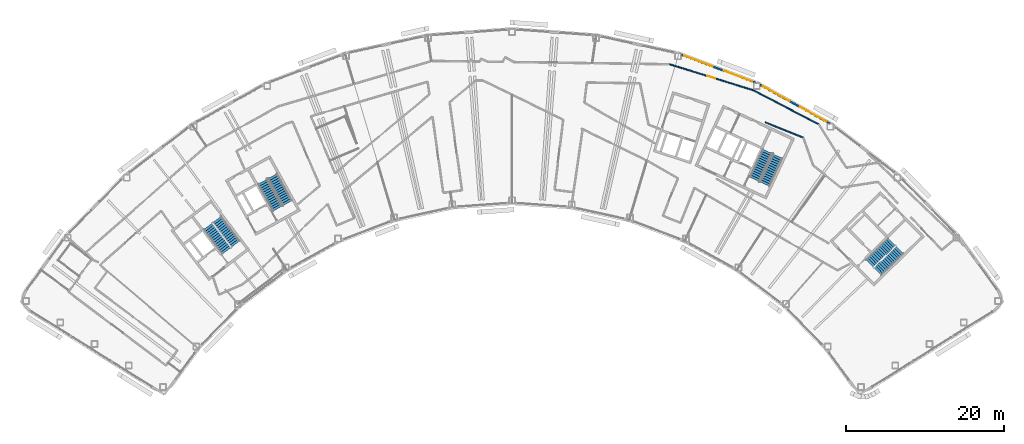
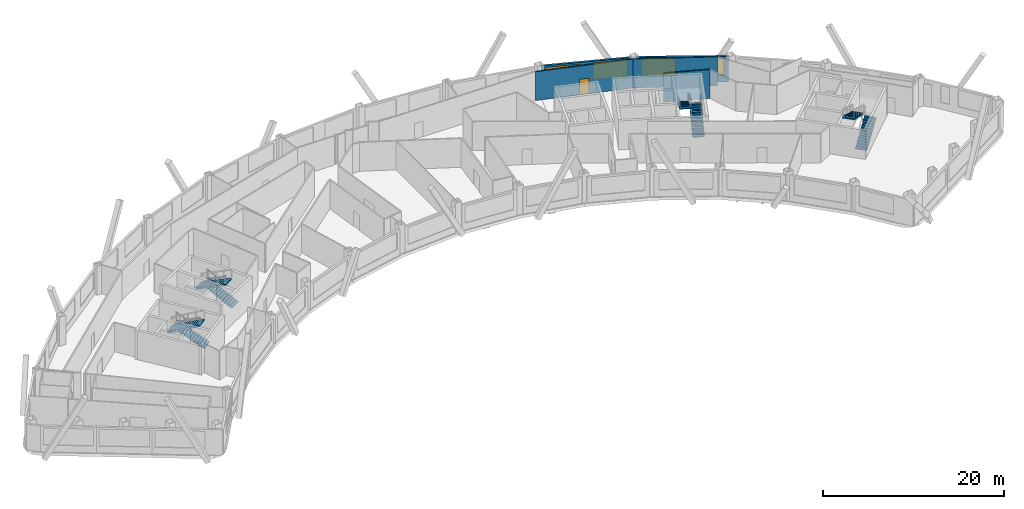
# One storey, part 11 of 13: 8 stair flights, 5 walls, 4 windows, 1 door, 5 openings, 4 elements without a shape of their own.
"""IFC4 building model written with IfcOpenShell, lengths in metres."""

from ifc_helpers import new_model, si_unit, direction, frame, frame_2d, origin, place, context, subcontext, project, spatial, polyline, rectangle, outline, extrude, material, layer, layer_set, type_object, element, fill, aggregate, save


model = new_model("IFC4")

# Units and contexts
model_context = context("Model", 3, precision=1e-05, world=origin(), true_north=direction((0.0, 1.0)))
body_context = subcontext(model_context, "Body", "Model", "MODEL_VIEW")
ifc_project = project(units=[si_unit("LENGTHUNIT", "METRE"), si_unit("AREAUNIT", "SQUARE_METRE"), si_unit("VOLUMEUNIT", "CUBIC_METRE"), si_unit("PLANEANGLEUNIT", "RADIAN"), si_unit("MASSUNIT", "GRAM", prefix="KILO")], contexts=[model_context])

# Site, building, storey
site_placement = place(None, origin())
site = spatial("IfcSite", under=ifc_project, at=site_placement, CompositionType="ELEMENT")
building_placement = place(site_placement, origin())
building = spatial("IfcBuilding", under=site, at=building_placement, Name="Tuul Gate Civic Tower", CompositionType="ELEMENT")
storey_placement = place(building_placement, frame((0.0, 0.0, 319.699951171875)))
storey = spatial("IfcBuildingStorey", under=building, at=storey_placement, Name="Level 72", CompositionType="ELEMENT", Elevation=319.699951171875)

# Wall
ifc_material_1 = material(Name="Gypsum board partition")
ifc_layer_1 = layer(ifc_material_1, 0.14990234375)
ifc_layer_set_1 = layer_set([ifc_layer_1], Name="Gypsum board partition")
wall_type_1 = type_object("IfcWallType", Name="Corridor wall P150", PredefinedType="PARTITIONING", material=ifc_layer_set_1)
wall_1_placement = place(storey_placement, frame((32.776611328125, 6.44580078125, 0.0), z_axis=(0.0, 0.0, 1.0), x_axis=(0.887777396517, -0.460273064857, 0.0)))
element("IfcWall", 1, at=wall_1_placement, inside=storey, type_object=wall_type_1, Name="p012", PredefinedType="PARTITIONING", context=body_context, shape_type="SweptSolid", body=[
    extrude(rectangle(XDim=9.37255859375, YDim=0.14990234375, at=frame_2d((4.686279296875, 0.0))), origin(), (0.0, 0.0, 1.0), 3.900146484375),
])

# Wall, opening, door
wall_2_placement = place(storey_placement, frame((22.1923828125, 9.731689453125, 0.0), z_axis=(0.0, 0.0, 1.0), x_axis=(0.955038110656, -0.296483063927, 0.0)))
wall_2 = element("IfcWall", 2, at=wall_2_placement, inside=storey, type_object=wall_type_1, Name="p013", PredefinedType="PARTITIONING", context=body_context, shape_type="SweptSolid", body=[
    extrude(rectangle(XDim=11.081298828125, YDim=0.14990234375, at=frame_2d((5.54052734375, 0.0))), origin(), (0.0, 0.0, 1.0), 3.900146484375),
])
opening_1_placement = place(wall_2_placement, frame((4.990478515625, 0.0, 0.0)))
opening_1 = element("IfcOpeningElement", 3, at=opening_1_placement, cuts=wall_2, Name="Opening AA-D01", PredefinedType="OPENING", context=body_context, shape_type="SweptSolid", body=[
    extrude(rectangle(XDim=1.10009765625, YDim=2.10009765625, at=frame_2d((0.550048828125, 1.050048828125))), frame((0.0, 0.0849609375, 0.0), z_axis=(0.0, -1.0, 0.0), x_axis=(1.0, 0.0, 0.0)), (0.0, 0.0, 1.0), 0.169921875),
])
ifc_material_2 = material(Name="Timber door leaf", Category="wood")
door_type = type_object("IfcDoorType", Name="Door D11", OperationType="NOTDEFINED", PredefinedType="DOOR", material=ifc_material_2)
door_placement = place(opening_1_placement, origin())
door = element("IfcDoor", 4, at=door_placement, inside=storey, type_object=door_type, Name="Door AA-D01", OperationType="SINGLE_SWING_RIGHT", OverallHeight=2.10009765625, OverallWidth=1.10009765625, PredefinedType="DOOR", context=body_context, shape_type="SweptSolid", body=[
    extrude(rectangle(XDim=1.10009765625, YDim=2.10009765625, at=frame_2d((0.550048828125, 1.050048828125))), frame((0.0, 0.02490234375, 0.0), z_axis=(0.0, -1.0, 0.0), x_axis=(1.0, 0.0, 0.0)), (0.0, 0.0, 1.0), 0.050048828125),
])
fill(opening_1, door)

# Wall
wall_3_placement = place(storey_placement, frame((34.3291015625, 2.36376953125, 0.0), z_axis=(0.0, 0.0, 1.0), x_axis=(0.928625983834, -0.371017226214, 0.0)))
element("IfcWall", 5, at=wall_3_placement, inside=storey, type_object=wall_type_1, Name="p101", PredefinedType="PARTITIONING", context=body_context, shape_type="SweptSolid", body=[
    extrude(rectangle(XDim=5.185302734375, YDim=0.14990234375, at=frame_2d((2.5927734375, 0.0))), origin(), (0.0, 0.0, 1.0), 3.900146484375),
])

# Wall, openings, windows
ifc_material_3 = material(Name="Precast concrete C40/50", Category="concrete")
ifc_layer_2 = layer(ifc_material_3, 0.25)
ifc_layer_set_2 = layer_set([ifc_layer_2], Name="Precast concrete C40/50")
wall_type_2 = type_object("IfcWallType", Name="External wall", PredefinedType="STANDARD", material=ifc_layer_set_2)
wall_4_placement = place(storey_placement, frame((42.54345703125, 2.205078125, 0.0), z_axis=(0.0, 0.0, 1.0), x_axis=(-0.87463511472, 0.484781823193, 0.0)))
wall_4 = element("IfcWall", 6, at=wall_4_placement, inside=storey, type_object=wall_type_2, Name="External wall", PredefinedType="STANDARD", context=body_context, shape_type="SweptSolid", body=[
    extrude(rectangle(XDim=10.161376953125, YDim=0.25, at=frame_2d((5.08056640625, 0.0))), origin(), (0.0, 0.0, 1.0), 3.449951171875),
])
opening_2_placement = place(wall_4_placement, frame((0.48974609375, 0.0, 0.89990234375)))
opening_2 = element("IfcOpeningElement", 7, at=opening_2_placement, cuts=wall_4, Name="Opening W22", PredefinedType="OPENING", context=body_context, shape_type="SweptSolid", body=[
    extrude(rectangle(XDim=3.85009765625, YDim=2.300048828125, at=frame_2d((1.925048828125, 1.14990234375))), frame((0.0, 0.135009765625, 0.0), z_axis=(0.0, -1.0, 0.0), x_axis=(1.0, 0.0, 0.0)), (0.0, 0.0, 1.0), 0.27001953125),
])
opening_3_placement = place(wall_4_placement, frame((5.861328125, 0.0, 0.89990234375)))
opening_3 = element("IfcOpeningElement", 8, at=opening_3_placement, cuts=wall_4, Name="Opening W22", PredefinedType="OPENING", context=body_context, shape_type="SweptSolid", body=[
    extrude(rectangle(XDim=3.85009765625, YDim=2.300048828125, at=frame_2d((1.925048828125, 1.14990234375))), frame((0.0, 0.135009765625, 0.0), z_axis=(0.0, -1.0, 0.0), x_axis=(1.0, 0.0, 0.0)), (0.0, 0.0, 1.0), 0.27001953125),
])
ifc_material_4 = material(Name="Glass", Category="glass")
window_type = type_object("IfcWindowType", Name="Window W22 3850 x 2300", PartitioningType="SINGLE_PANEL", PredefinedType="WINDOW", material=ifc_material_4)
window_1_placement = place(opening_2_placement, origin())
window_1 = element("IfcWindow", 9, at=window_1_placement, inside=storey, type_object=window_type, Name="Window", OverallHeight=2.300048828125, OverallWidth=3.85009765625, PartitioningType="SINGLE_PANEL", PredefinedType="WINDOW", context=body_context, shape_type="SweptSolid", body=[
    extrude(rectangle(XDim=3.85009765625, YDim=2.300048828125, at=frame_2d((1.925048828125, 1.14990234375))), frame((0.0, 0.030029296875, 0.0), z_axis=(0.0, -1.0, 0.0), x_axis=(1.0, 0.0, 0.0)), (0.0, 0.0, 1.0), 0.06005859375),
])
fill(opening_2, window_1)
window_2_placement = place(opening_3_placement, origin())
window_2 = element("IfcWindow", 10, at=window_2_placement, inside=storey, type_object=window_type, Name="Window", OverallHeight=2.300048828125, OverallWidth=3.85009765625, PartitioningType="SINGLE_PANEL", PredefinedType="WINDOW", context=body_context, shape_type="SweptSolid", body=[
    extrude(rectangle(XDim=3.85009765625, YDim=2.300048828125, at=frame_2d((1.925048828125, 1.14990234375))), frame((0.0, 0.030029296875, 0.0), z_axis=(0.0, -1.0, 0.0), x_axis=(1.0, 0.0, 0.0)), (0.0, 0.0, 1.0), 0.06005859375),
])
fill(opening_3, window_2)

wall_5_placement = place(storey_placement, frame((33.115478515625, 7.382080078125, 0.0), z_axis=(0.0, 0.0, 1.0), x_axis=(-0.93534700963, 0.353731496444, 0.0)))
wall_5 = element("IfcWall", 11, at=wall_5_placement, inside=storey, type_object=wall_type_2, Name="External wall", PredefinedType="STANDARD", context=body_context, shape_type="SweptSolid", body=[
    extrude(rectangle(XDim=10.099609375, YDim=0.25, at=frame_2d((5.0498046875, 0.0))), origin(), (0.0, 0.0, 1.0), 3.449951171875),
])
opening_4_placement = place(wall_5_placement, frame((0.45556640625, 0.0, 0.89990234375)))
opening_4 = element("IfcOpeningElement", 12, at=opening_4_placement, cuts=wall_5, Name="Opening W22", PredefinedType="OPENING", context=body_context, shape_type="SweptSolid", body=[
    extrude(rectangle(XDim=3.85009765625, YDim=2.300048828125, at=frame_2d((1.925048828125, 1.14990234375))), frame((0.0, 0.135009765625, 0.0), z_axis=(0.0, -1.0, 0.0), x_axis=(1.0, 0.0, 0.0)), (0.0, 0.0, 1.0), 0.27001953125),
])
opening_5_placement = place(wall_5_placement, frame((5.826904296875, 0.0, 0.89990234375)))
opening_5 = element("IfcOpeningElement", 13, at=opening_5_placement, cuts=wall_5, Name="Opening W22", PredefinedType="OPENING", context=body_context, shape_type="SweptSolid", body=[
    extrude(rectangle(XDim=3.85009765625, YDim=2.300048828125, at=frame_2d((1.925048828125, 1.14990234375))), frame((0.0, 0.135009765625, 0.0), z_axis=(0.0, -1.0, 0.0), x_axis=(1.0, 0.0, 0.0)), (0.0, 0.0, 1.0), 0.27001953125),
])
window_3_placement = place(opening_4_placement, origin())
window_3 = element("IfcWindow", 14, at=window_3_placement, inside=storey, type_object=window_type, Name="Window", OverallHeight=2.300048828125, OverallWidth=3.85009765625, PartitioningType="SINGLE_PANEL", PredefinedType="WINDOW", context=body_context, shape_type="SweptSolid", body=[
    extrude(rectangle(XDim=3.85009765625, YDim=2.300048828125, at=frame_2d((1.925048828125, 1.14990234375))), frame((0.0, 0.030029296875, 0.0), z_axis=(0.0, -1.0, 0.0), x_axis=(1.0, 0.0, 0.0)), (0.0, 0.0, 1.0), 0.06005859375),
])
fill(opening_4, window_3)
window_4_placement = place(opening_5_placement, origin())
window_4 = element("IfcWindow", 15, at=window_4_placement, inside=storey, type_object=window_type, Name="Window", OverallHeight=2.300048828125, OverallWidth=3.85009765625, PartitioningType="SINGLE_PANEL", PredefinedType="WINDOW", context=body_context, shape_type="SweptSolid", body=[
    extrude(rectangle(XDim=3.85009765625, YDim=2.300048828125, at=frame_2d((1.925048828125, 1.14990234375))), frame((0.0, 0.030029296875, 0.0), z_axis=(0.0, -1.0, 0.0), x_axis=(1.0, 0.0, 0.0)), (0.0, 0.0, 1.0), 0.06005859375),
])
fill(opening_5, window_4)

# Stair, stair flights
ifc_material_5 = material(Name="Concrete C40/50", Category="concrete")
stair_type = type_object("IfcStairType", Name="Exit stair", PredefinedType="HALF_TURN_STAIR", material=ifc_material_5)
stair_1_placement = place(storey_placement, origin())
stair_1 = element("IfcStair", 16, at=stair_1_placement, inside=storey, type_object=stair_type, Name="Level 72 ST-1", PredefinedType="HALF_TURN_STAIR")
ifc_material_6 = material(Name="Concrete C40/50", Category="concrete")
stair_flight_type = type_object("IfcStairFlightType", Name="Exit stair flight", PredefinedType="STRAIGHT", material=ifc_material_6)
stair_flight_1_placement = place(storey_placement, frame((-32.875244140625, -13.066650390625, 0.0), z_axis=(0.0, 0.0, 1.0), x_axis=(-0.605764474941, 0.795644016442, 0.0)))
stair_flight_1 = element("IfcStairFlight", 17, at=stair_flight_1_placement, type_object=stair_flight_type, Name="ST-1 flight 1", NumberOfRisers=14, NumberOfTreads=13, PredefinedType="STRAIGHT", RiserHeight=0.15, TreadLength=0.3, context=body_context, shape_type="SweptSolid", body=[
    extrude(outline(polyline([(0.0, 0.0), (0.0, 0.14990234375), (0.300048828125, 0.14990234375), (0.300048828125, 0.300048828125), (0.60009765625, 0.300048828125), (0.60009765625, 0.449951171875), (0.89990234375, 0.449951171875), (0.89990234375, 0.60009765625), (1.199951171875, 0.60009765625), (1.199951171875, 0.75), (1.5, 0.75), (1.5, 0.89990234375), (1.800048828125, 0.89990234375), (1.800048828125, 1.050048828125), (2.10009765625, 1.050048828125), (2.10009765625, 1.199951171875), (2.39990234375, 1.199951171875), (2.39990234375, 1.35009765625), (2.699951171875, 1.35009765625), (2.699951171875, 1.5), (3.0, 1.5), (3.0, 1.64990234375), (3.300048828125, 1.64990234375), (3.300048828125, 1.800048828125), (3.60009765625, 1.800048828125), (3.60009765625, 1.949951171875), (3.89990234375, 1.949951171875), (3.89990234375, 2.10009765625), (3.89990234375, 1.782470703125), (0.335205078125, 0.0), (0.0, 0.0)])), frame((0.0, 0.675048828125, 0.0), z_axis=(0.0, -1.0, 0.0), x_axis=(1.0, 0.0, 0.0)), (0.0, 0.0, 1.0), 1.35009765625),
])
stair_flight_2_placement = place(storey_placement, frame((-36.391357421875, -10.842041015625, 2.10009765625), z_axis=(0.0, 0.0, 1.0), x_axis=(0.605764474941, -0.795644016442, 0.0)))
stair_flight_2 = element("IfcStairFlight", 18, at=stair_flight_2_placement, type_object=stair_flight_type, Name="ST-1 flight 2", NumberOfRisers=14, NumberOfTreads=13, PredefinedType="STRAIGHT", RiserHeight=0.15, TreadLength=0.3, context=body_context, shape_type="SweptSolid", body=[
    extrude(outline(polyline([(0.0, 0.0), (0.0, 0.14990234375), (0.300048828125, 0.14990234375), (0.300048828125, 0.300048828125), (0.60009765625, 0.300048828125), (0.60009765625, 0.449951171875), (0.89990234375, 0.449951171875), (0.89990234375, 0.60009765625), (1.199951171875, 0.60009765625), (1.199951171875, 0.75), (1.5, 0.75), (1.5, 0.89990234375), (1.800048828125, 0.89990234375), (1.800048828125, 1.050048828125), (2.10009765625, 1.050048828125), (2.10009765625, 1.199951171875), (2.39990234375, 1.199951171875), (2.39990234375, 1.35009765625), (2.699951171875, 1.35009765625), (2.699951171875, 1.5), (3.0, 1.5), (3.0, 1.64990234375), (3.300048828125, 1.64990234375), (3.300048828125, 1.800048828125), (3.60009765625, 1.800048828125), (3.60009765625, 1.949951171875), (3.89990234375, 1.949951171875), (3.89990234375, 2.10009765625), (3.89990234375, 1.782470703125), (0.335205078125, 0.0), (0.0, 0.0)])), frame((0.0, 0.675048828125, 0.0), z_axis=(0.0, -1.0, 0.0), x_axis=(1.0, 0.0, 0.0)), (0.0, 0.0, 1.0), 1.35009765625),
])
aggregate(stair_1, [stair_flight_1, stair_flight_2])

stair_2_placement = place(storey_placement, origin())
stair_2 = element("IfcStair", 19, at=stair_2_placement, inside=storey, type_object=stair_type, Name="Level 72 ST-2", PredefinedType="HALF_TURN_STAIR")
stair_flight_3_placement = place(storey_placement, frame((-26.29150390625, -7.87646484375, 0.0), z_axis=(0.0, 0.0, 1.0), x_axis=(-0.484761763766, 0.874646232708, 0.0)))
stair_flight_3 = element("IfcStairFlight", 20, at=stair_flight_3_placement, type_object=stair_flight_type, Name="ST-2 flight 1", NumberOfRisers=14, NumberOfTreads=13, PredefinedType="STRAIGHT", RiserHeight=0.15, TreadLength=0.3, context=body_context, shape_type="SweptSolid", body=[
    extrude(outline(polyline([(0.0, 0.0), (0.0, 0.14990234375), (0.300048828125, 0.14990234375), (0.300048828125, 0.300048828125), (0.60009765625, 0.300048828125), (0.60009765625, 0.449951171875), (0.89990234375, 0.449951171875), (0.89990234375, 0.60009765625), (1.199951171875, 0.60009765625), (1.199951171875, 0.75), (1.5, 0.75), (1.5, 0.89990234375), (1.800048828125, 0.89990234375), (1.800048828125, 1.050048828125), (2.10009765625, 1.050048828125), (2.10009765625, 1.199951171875), (2.39990234375, 1.199951171875), (2.39990234375, 1.35009765625), (2.699951171875, 1.35009765625), (2.699951171875, 1.5), (3.0, 1.5), (3.0, 1.64990234375), (3.300048828125, 1.64990234375), (3.300048828125, 1.800048828125), (3.60009765625, 1.800048828125), (3.60009765625, 1.949951171875), (3.89990234375, 1.949951171875), (3.89990234375, 2.10009765625), (3.89990234375, 1.782470703125), (0.335205078125, 0.0), (0.0, 0.0)])), frame((0.0, 0.675048828125, 0.0), z_axis=(0.0, -1.0, 0.0), x_axis=(1.0, 0.0, 0.0)), (0.0, 0.0, 1.0), 1.35009765625),
])
stair_flight_4_placement = place(storey_placement, frame((-29.450439453125, -5.168212890625, 2.10009765625), z_axis=(0.0, 0.0, 1.0), x_axis=(0.484761763766, -0.874646232708, 0.0)))
stair_flight_4 = element("IfcStairFlight", 21, at=stair_flight_4_placement, type_object=stair_flight_type, Name="ST-2 flight 2", NumberOfRisers=14, NumberOfTreads=13, PredefinedType="STRAIGHT", RiserHeight=0.15, TreadLength=0.3, context=body_context, shape_type="SweptSolid", body=[
    extrude(outline(polyline([(0.0, 0.0), (0.0, 0.14990234375), (0.300048828125, 0.14990234375), (0.300048828125, 0.300048828125), (0.60009765625, 0.300048828125), (0.60009765625, 0.449951171875), (0.89990234375, 0.449951171875), (0.89990234375, 0.60009765625), (1.199951171875, 0.60009765625), (1.199951171875, 0.75), (1.5, 0.75), (1.5, 0.89990234375), (1.800048828125, 0.89990234375), (1.800048828125, 1.050048828125), (2.10009765625, 1.050048828125), (2.10009765625, 1.199951171875), (2.39990234375, 1.199951171875), (2.39990234375, 1.35009765625), (2.699951171875, 1.35009765625), (2.699951171875, 1.5), (3.0, 1.5), (3.0, 1.64990234375), (3.300048828125, 1.64990234375), (3.300048828125, 1.800048828125), (3.60009765625, 1.800048828125), (3.60009765625, 1.949951171875), (3.89990234375, 1.949951171875), (3.89990234375, 2.10009765625), (3.89990234375, 1.782470703125), (0.335205078125, 0.0), (0.0, 0.0)])), frame((0.0, 0.675048828125, 0.0), z_axis=(0.0, -1.0, 0.0), x_axis=(1.0, 0.0, 0.0)), (0.0, 0.0, 1.0), 1.35009765625),
])
aggregate(stair_2, [stair_flight_3, stair_flight_4])

stair_3_placement = place(storey_placement, origin())
stair_3 = element("IfcStair", 22, at=stair_3_placement, inside=storey, type_object=stair_type, Name="Level 72 ST-3", PredefinedType="HALF_TURN_STAIR")
stair_flight_5_placement = place(storey_placement, frame((48.61376953125, -16.581787109375, 0.0), z_axis=(0.0, 0.0, 1.0), x_axis=(0.714127290059, 0.700015866672, 0.0)))
stair_flight_5 = element("IfcStairFlight", 23, at=stair_flight_5_placement, type_object=stair_flight_type, Name="ST-3 flight 1", NumberOfRisers=14, NumberOfTreads=13, PredefinedType="STRAIGHT", RiserHeight=0.15, TreadLength=0.3, context=body_context, shape_type="SweptSolid", body=[
    extrude(outline(polyline([(0.0, 0.0), (0.0, 0.14990234375), (0.300048828125, 0.14990234375), (0.300048828125, 0.300048828125), (0.60009765625, 0.300048828125), (0.60009765625, 0.449951171875), (0.89990234375, 0.449951171875), (0.89990234375, 0.60009765625), (1.199951171875, 0.60009765625), (1.199951171875, 0.75), (1.5, 0.75), (1.5, 0.89990234375), (1.800048828125, 0.89990234375), (1.800048828125, 1.050048828125), (2.10009765625, 1.050048828125), (2.10009765625, 1.199951171875), (2.39990234375, 1.199951171875), (2.39990234375, 1.35009765625), (2.699951171875, 1.35009765625), (2.699951171875, 1.5), (3.0, 1.5), (3.0, 1.64990234375), (3.300048828125, 1.64990234375), (3.300048828125, 1.800048828125), (3.60009765625, 1.800048828125), (3.60009765625, 1.949951171875), (3.89990234375, 1.949951171875), (3.89990234375, 2.10009765625), (3.89990234375, 1.782470703125), (0.335205078125, 0.0), (0.0, 0.0)])), frame((0.0, 0.675048828125, 0.0), z_axis=(0.0, -1.0, 0.0), x_axis=(1.0, 0.0, 0.0)), (0.0, 0.0, 1.0), 1.35009765625),
])
stair_flight_6_placement = place(storey_placement, frame((50.3837890625, -12.816162109375, 2.10009765625), z_axis=(0.0, 0.0, 1.0), x_axis=(-0.714127290059, -0.700015866672, 0.0)))
stair_flight_6 = element("IfcStairFlight", 24, at=stair_flight_6_placement, type_object=stair_flight_type, Name="ST-3 flight 2", NumberOfRisers=14, NumberOfTreads=13, PredefinedType="STRAIGHT", RiserHeight=0.15, TreadLength=0.3, context=body_context, shape_type="SweptSolid", body=[
    extrude(outline(polyline([(0.0, 0.0), (0.0, 0.14990234375), (0.300048828125, 0.14990234375), (0.300048828125, 0.300048828125), (0.60009765625, 0.300048828125), (0.60009765625, 0.449951171875), (0.89990234375, 0.449951171875), (0.89990234375, 0.60009765625), (1.199951171875, 0.60009765625), (1.199951171875, 0.75), (1.5, 0.75), (1.5, 0.89990234375), (1.800048828125, 0.89990234375), (1.800048828125, 1.050048828125), (2.10009765625, 1.050048828125), (2.10009765625, 1.199951171875), (2.39990234375, 1.199951171875), (2.39990234375, 1.35009765625), (2.699951171875, 1.35009765625), (2.699951171875, 1.5), (3.0, 1.5), (3.0, 1.64990234375), (3.300048828125, 1.64990234375), (3.300048828125, 1.800048828125), (3.60009765625, 1.800048828125), (3.60009765625, 1.949951171875), (3.89990234375, 1.949951171875), (3.89990234375, 2.10009765625), (3.89990234375, 1.782470703125), (0.335205078125, 0.0), (0.0, 0.0)])), frame((0.0, 0.675048828125, 0.0), z_axis=(0.0, -1.0, 0.0), x_axis=(1.0, 0.0, 0.0)), (0.0, 0.0, 1.0), 1.35009765625),
])
aggregate(stair_3, [stair_flight_5, stair_flight_6])

stair_4_placement = place(storey_placement, origin())
stair_4 = element("IfcStair", 25, at=stair_4_placement, inside=storey, type_object=stair_type, Name="Level 72 ST-4", PredefinedType="HALF_TURN_STAIR")
stair_flight_7_placement = place(storey_placement, frame((34.278564453125, -5.478515625, 0.0), z_axis=(0.0, 0.0, 1.0), x_axis=(0.422576295988, 0.906327354806, 0.0)))
stair_flight_7 = element("IfcStairFlight", 26, at=stair_flight_7_placement, type_object=stair_flight_type, Name="ST-4 flight 1", NumberOfRisers=14, NumberOfTreads=13, PredefinedType="STRAIGHT", RiserHeight=0.15, TreadLength=0.3, context=body_context, shape_type="SweptSolid", body=[
    extrude(outline(polyline([(0.0, 0.0), (0.0, 0.14990234375), (0.300048828125, 0.14990234375), (0.300048828125, 0.300048828125), (0.60009765625, 0.300048828125), (0.60009765625, 0.449951171875), (0.89990234375, 0.449951171875), (0.89990234375, 0.60009765625), (1.199951171875, 0.60009765625), (1.199951171875, 0.75), (1.5, 0.75), (1.5, 0.89990234375), (1.800048828125, 0.89990234375), (1.800048828125, 1.050048828125), (2.10009765625, 1.050048828125), (2.10009765625, 1.199951171875), (2.39990234375, 1.199951171875), (2.39990234375, 1.35009765625), (2.699951171875, 1.35009765625), (2.699951171875, 1.5), (3.0, 1.5), (3.0, 1.64990234375), (3.300048828125, 1.64990234375), (3.300048828125, 1.800048828125), (3.60009765625, 1.800048828125), (3.60009765625, 1.949951171875), (3.89990234375, 1.949951171875), (3.89990234375, 2.10009765625), (3.89990234375, 1.782470703125), (0.335205078125, 0.0), (0.0, 0.0)])), frame((0.0, 0.675048828125, 0.0), z_axis=(0.0, -1.0, 0.0), x_axis=(1.0, 0.0, 0.0)), (0.0, 0.0, 1.0), 1.35009765625),
])
stair_flight_8_placement = place(storey_placement, frame((34.612548828125, -1.3310546875, 2.10009765625), z_axis=(0.0, 0.0, 1.0), x_axis=(-0.422576295988, -0.906327354806, 0.0)))
stair_flight_8 = element("IfcStairFlight", 27, at=stair_flight_8_placement, type_object=stair_flight_type, Name="ST-4 flight 2", NumberOfRisers=14, NumberOfTreads=13, PredefinedType="STRAIGHT", RiserHeight=0.15, TreadLength=0.3, context=body_context, shape_type="SweptSolid", body=[
    extrude(outline(polyline([(0.0, 0.0), (0.0, 0.14990234375), (0.300048828125, 0.14990234375), (0.300048828125, 0.300048828125), (0.60009765625, 0.300048828125), (0.60009765625, 0.449951171875), (0.89990234375, 0.449951171875), (0.89990234375, 0.60009765625), (1.199951171875, 0.60009765625), (1.199951171875, 0.75), (1.5, 0.75), (1.5, 0.89990234375), (1.800048828125, 0.89990234375), (1.800048828125, 1.050048828125), (2.10009765625, 1.050048828125), (2.10009765625, 1.199951171875), (2.39990234375, 1.199951171875), (2.39990234375, 1.35009765625), (2.699951171875, 1.35009765625), (2.699951171875, 1.5), (3.0, 1.5), (3.0, 1.64990234375), (3.300048828125, 1.64990234375), (3.300048828125, 1.800048828125), (3.60009765625, 1.800048828125), (3.60009765625, 1.949951171875), (3.89990234375, 1.949951171875), (3.89990234375, 2.10009765625), (3.89990234375, 1.782470703125), (0.335205078125, 0.0), (0.0, 0.0)])), frame((0.0, 0.675048828125, 0.0), z_axis=(0.0, -1.0, 0.0), x_axis=(1.0, 0.0, 0.0)), (0.0, 0.0, 1.0), 1.35009765625),
])
aggregate(stair_4, [stair_flight_7, stair_flight_8])

save(model, "model.ifc")
